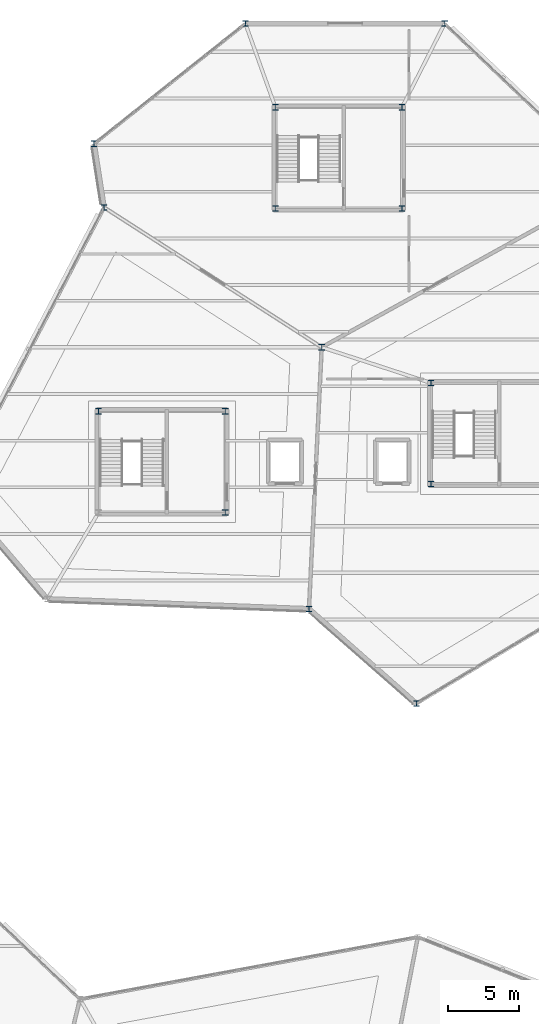
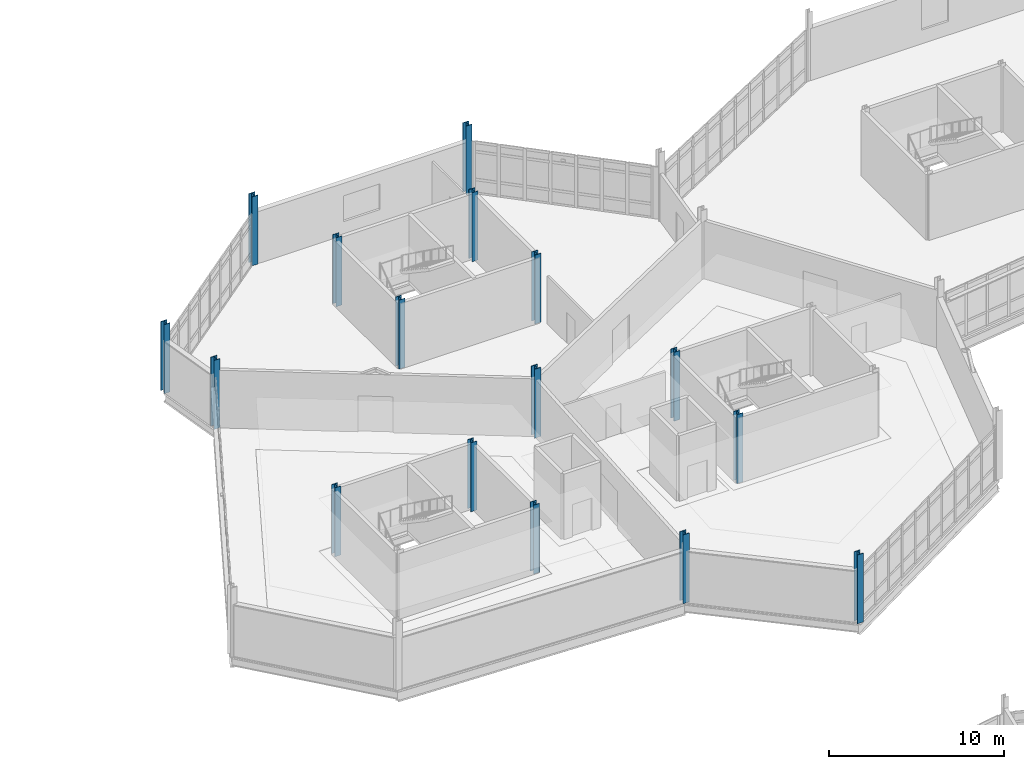
# One storey, part 17 of 134: 16 columns.
"""IFC4 building model written with IfcOpenShell, lengths in metres."""

from ifc_helpers import new_model, si_unit, direction, frame, origin, origin_2d, place, context, subcontext, project, spatial, i_section, extrude, material, material_profile, profile_set, type_object, element, save


model = new_model("IFC4")

# Units and contexts
model_context = context("Model", 3, precision=1e-05, world=origin(), true_north=direction((0.0, 1.0)))
body_context = subcontext(model_context, "Body", "Model", "MODEL_VIEW")
ifc_project = project(units=[si_unit("LENGTHUNIT", "METRE"), si_unit("AREAUNIT", "SQUARE_METRE"), si_unit("VOLUMEUNIT", "CUBIC_METRE"), si_unit("PLANEANGLEUNIT", "RADIAN"), si_unit("MASSUNIT", "GRAM", prefix="KILO")], contexts=[model_context])

# Site, building, storey
site_placement = place(None, origin())
site = spatial("IfcSite", under=ifc_project, at=site_placement, CompositionType="ELEMENT")
building_placement = place(site_placement, origin())
building = spatial("IfcBuilding", under=site, at=building_placement, Name="Tameran Prism Museum", CompositionType="ELEMENT")
storey_placement = place(building_placement, frame((0.0, 0.0, 5.39990234375)))
storey = spatial("IfcBuildingStorey", under=building, at=storey_placement, Name="L01", CompositionType="ELEMENT", Elevation=5.39990234375)

# Columns
ifc_material = material(Name="Steel Grade 350 (350 MPa)", Category="steel")
ifc_material_profile = material_profile(ifc_material, i_section(OverallWidth=0.39990234375, OverallDepth=0.39990234375, WebThickness=0.02197265625, FlangeThickness=0.035888671875, at=origin_2d()))
ifc_profile_set = profile_set([ifc_material_profile])
column_type = type_object("IfcColumnType", Name="COL-WC400", PredefinedType="COLUMN", material=ifc_profile_set)
for number, where, z_axis, x_axis, name in (
    (1, (102.699951171875, 103.5, 0.0), (0.0, 0.0, 1.0), (1.0, 0.0, 0.0), "Column CV-42 L01"),
    (2, (103.39990234375, 99.0, 0.0), (0.0, 0.0, 1.0), (1.0, 0.0, 0.0), "Column CV-43 L01"),
    (3, (113.39990234375, 112.0, 0.0), (0.0, 0.0, 1.0), (1.0, 0.0, 0.0), "Column CV-45 L01"),
    (4, (117.89990234375, 70.60009765625, 0.0), (0.0, 0.0, 1.0), (1.0, 0.0, 0.0), "Column CV-46 L01"),
    (5, (118.800048828125, 89.10009765625, 0.0), (0.0, 0.0, 1.0), (1.0, 0.0, 0.0), "Column CV-47 L01"),
    (6, (125.5, 63.89990234375, 0.0), (0.0, 0.0, 1.0), (1.0, 0.0, 0.0), "Column CV-49 L01"),
    (7, (127.5, 112.0, 0.0), (0.0, 0.0, 1.0), (1.0, 0.0, 0.0), "Column CV-51 L01"),
    (8, (111.97998046875, 77.419921875, 0.0), (0.0, 0.0, 1.0), (1.0, 0.0, 0.0), "Column CC-1-2 L01"),
    (9, (111.97998046875, 84.580078125, 0.0), (0.0, 0.0, 1.0), (1.0, 0.0, 0.0), "Column CC-1-3 L01"),
    (10, (103.02001953125, 84.580078125, 0.0), (0.0, 0.0, 1.0), (1.0, 0.0, 0.0), "Column CC-1-4 L01"),
    (11, (126.52001953125, 79.419921875, 0.0), (0.0, 0.0, 1.0), (1.0, 0.0, 0.0), "Column CC-2-1 L01"),
    (12, (126.52001953125, 86.580078125, 0.0), (0.0, 0.0, 1.0), (1.0, 0.0, 0.0), "Column CC-2-4 L01"),
    (13, (115.52001953125, 98.919921875, 0.0), (0.0, 0.0, 1.0), (1.0, 0.0, 0.0), "Column CC-7-1 L01"),
    (14, (124.47998046875, 98.919921875, 0.0), (0.0, 0.0, 1.0), (1.0, 0.0, 0.0), "Column CC-7-2 L01"),
    (15, (124.47998046875, 106.080078125, 0.0), (0.0, 0.0, 1.0), (1.0, 0.0, 0.0), "Column CC-7-3 L01"),
    (16, (115.52001953125, 106.080078125, 0.0), (0.0, 0.0, 1.0), (1.0, 0.0, 0.0), "Column CC-7-4 L01"),
):
    element("IfcColumn", number, at=place(storey_placement, frame(where, z_axis=z_axis, x_axis=x_axis)), inside=storey, type_object=column_type, Name=name, PredefinedType="COLUMN", context=body_context, shape_type="SweptSolid", body=[
        extrude(i_section(OverallWidth=0.39990234375, OverallDepth=0.39990234375, WebThickness=0.02197265625, FlangeThickness=0.035888671875, at=origin_2d()), origin(), (0.0, 0.0, 1.0), 4.800048828125),
    ])

save(model, "model.ifc")
